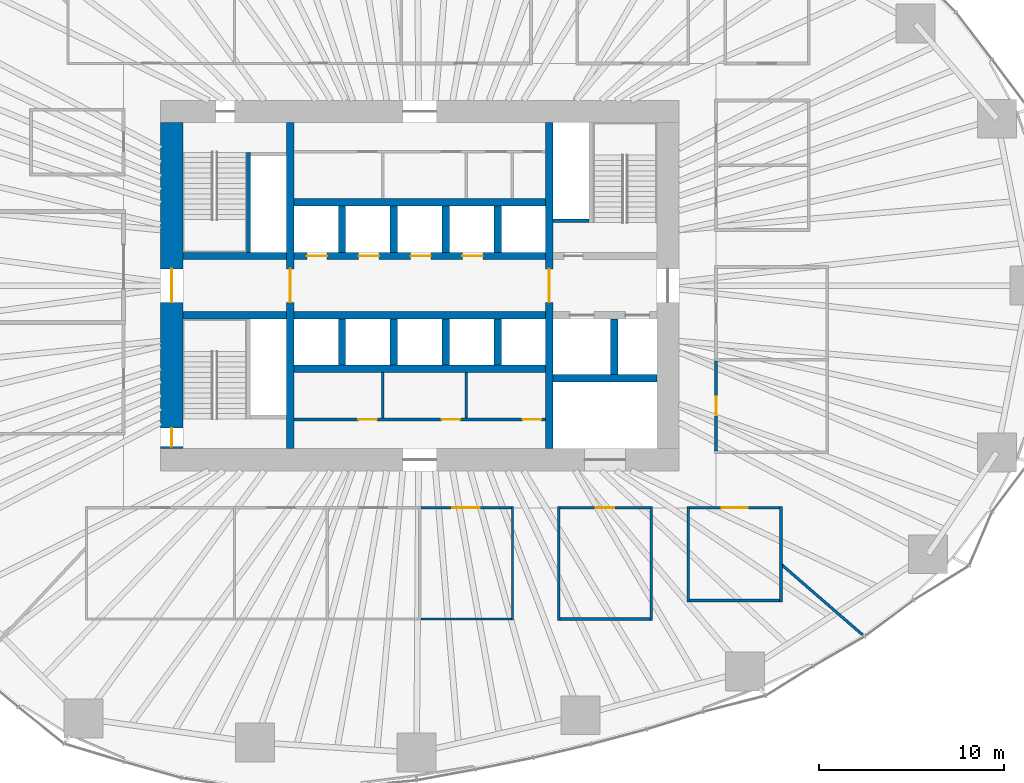
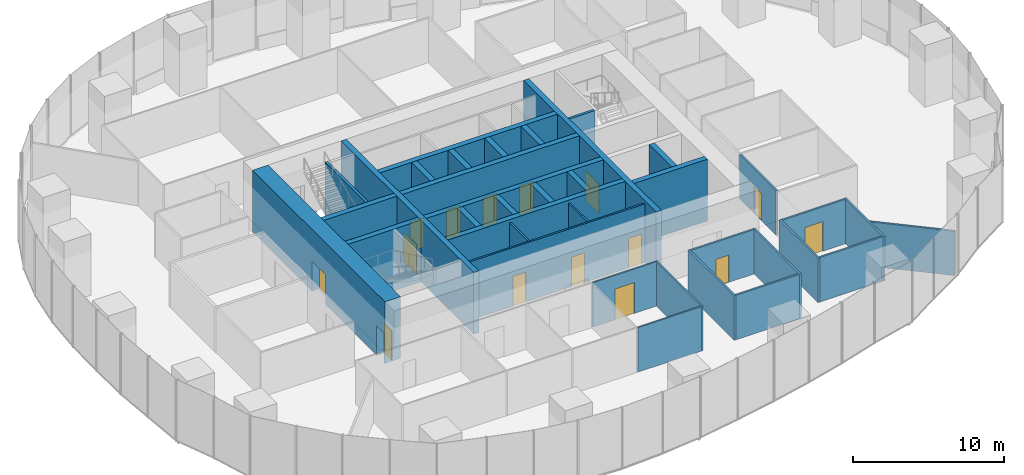
# One storey, part 10 of 20: 37 walls, 15 doors, 15 openings.
"""IFC4 building model written with IfcOpenShell, lengths in metres."""

import ifcopenshell
import ifcopenshell.guid

model = None  # the IFC model being written
_history = None  # IfcOwnerHistory: only IFC2X3 demands one
_inside = {}  # id of a spatial element -> (the spatial element, [elements in it])
_under = {}  # id of a project, library or spatial element -> (it, [spatial elements below it])
_declared = {}  # id of a project -> (the project, [libraries it declares])
_typed = {}  # id of a type object -> (the type object, [elements of that type])
_made_of = {}  # id of a material, layer set ... -> (it, [elements and type objects made of it])


def new_model(schema):
    """Start an empty IFC model of exactly this schema.

    Asked for "IFC4X3", IfcOpenShell would pick the latest addendum, in which some entities
    have other attributes; the version numbers below select the first issue.
    IFC2X3 requires an IfcOwnerHistory on every rooted entity: one is made here for all.
    """
    global model, _history
    if schema == "IFC4X3":
        model = ifcopenshell.file(schema_version=(4, 3, 0, 0))
    else:
        model = ifcopenshell.file(schema=schema)
    _inside.clear()
    _under.clear()
    _declared.clear()
    _typed.clear()
    _made_of.clear()
    _history = None
    if model.schema == "IFC2X3":
        org = make("IfcOrganization", Name="unknown")
        user = make(
            "IfcPersonAndOrganization",
            ThePerson=make("IfcPerson", FamilyName="unknown"),
            TheOrganization=org,
        )
        app = make(
            "IfcApplication",
            ApplicationDeveloper=org,
            Version="unknown",
            ApplicationFullName="unknown",
            ApplicationIdentifier="unknown",
        )
        _history = make(
            "IfcOwnerHistory",
            OwningUser=user,
            OwningApplication=app,
            ChangeAction="ADDED",
            CreationDate=0,
        )
    return model


def make(cls, **values):
    """One entity of the class cls with the attributes given. An attribute that is None is left unset."""
    return model.create_entity(
        cls, **{name: value for name, value in values.items() if value is not None}
    )


def rooted(cls, **values):
    """An entity with a GlobalId (a new one), such as an element, a storey or a relation."""
    return make(cls, GlobalId=ifcopenshell.guid.new(), OwnerHistory=_history, **values)


def si_unit(unit_type, name, prefix=None):
    """IfcSIUnit, for example si_unit("LENGTHUNIT", "METRE", prefix="MILLI")."""
    return make("IfcSIUnit", UnitType=unit_type, Prefix=prefix, Name=name)


def assignment(units):
    """IfcUnitAssignment: the units of a project."""
    return None if units is None else make("IfcUnitAssignment", Units=units)


def point(xyz):
    """IfcCartesianPoint."""
    return None if xyz is None else make("IfcCartesianPoint", Coordinates=xyz)


def direction(xyz):
    """IfcDirection."""
    return None if xyz is None else make("IfcDirection", DirectionRatios=xyz)


def frame(location, z_axis=None, x_axis=None):
    """IfcAxis2Placement3D, a coordinate frame: its origin and axes. An axis left out is left unset."""
    return make(
        "IfcAxis2Placement3D",
        Location=point(location),
        Axis=direction(z_axis),
        RefDirection=direction(x_axis),
    )


def frame_2d(location, x_axis=None):
    """IfcAxis2Placement2D, a coordinate frame in the plane: its origin and x axis."""
    return make(
        "IfcAxis2Placement2D", Location=point(location), RefDirection=direction(x_axis)
    )


def origin():
    """The frame at (0, 0, 0) with its axes left unset."""
    return frame((0.0, 0.0, 0.0))


def place(relative_to, where):
    """IfcLocalPlacement: puts the frame where relative to a parent placement (None: the world)."""
    return make(
        "IfcLocalPlacement", PlacementRelTo=relative_to, RelativePlacement=where
    )


def context(
    kind, dimensions, precision=None, world=None, true_north=None, identifier=None
):
    """IfcGeometricRepresentationContext, for example the 3D "Model" context."""
    return make(
        "IfcGeometricRepresentationContext",
        ContextIdentifier=identifier,
        ContextType=kind,
        CoordinateSpaceDimension=dimensions,
        Precision=precision,
        WorldCoordinateSystem=world,
        TrueNorth=true_north,
    )


def subcontext(parent, identifier, kind, view, scale=None):
    """IfcGeometricRepresentationSubContext, for example "Body" below "Model"."""
    return make(
        "IfcGeometricRepresentationSubContext",
        ContextIdentifier=identifier,
        ContextType=kind,
        ParentContext=parent,
        TargetScale=scale,
        TargetView=view,
    )


def project(units=None, contexts=None):
    """IfcProject with its units and contexts."""
    return rooted(
        "IfcProject",
        Name="project",
        RepresentationContexts=contexts,
        UnitsInContext=assignment(units),
    )


def spatial(cls, under=None, at=None, **own):
    """A site, building, storey or space (cls), placed at a placement, below another one or the project."""
    s = rooted(cls, ObjectPlacement=at, **own)
    if under is not None:
        _under.setdefault(under.id(), (under, []))[1].append(s)
    return s


def profile(cls, at=None, kind="AREA", **sizes):
    """A parametric profile (cls). Its sizes go by their IFC names, for example OverallWidth=200.0."""
    return make(cls, ProfileType=kind, Position=at, **sizes)


def rectangle(**sizes):
    """IfcRectangleProfileDef."""
    return profile("IfcRectangleProfileDef", **sizes)


def extrude(swept, where, along, depth):
    """IfcExtrudedAreaSolid: the profile swept, set in the frame where, extruded along a direction by depth."""
    return make(
        "IfcExtrudedAreaSolid",
        SweptArea=swept,
        Position=where,
        ExtrudedDirection=direction(along),
        Depth=depth,
    )


def shape(context_of_items, identifier, shape_type, items):
    """IfcShapeRepresentation: the items that make up one representation, for example the "Body"."""
    return make(
        "IfcShapeRepresentation",
        ContextOfItems=context_of_items,
        RepresentationIdentifier=identifier,
        RepresentationType=shape_type,
        Items=items,
    )


def material(Name=None, Category=None):
    """IfcMaterial."""
    return make("IfcMaterial", Name=Name, Category=Category)


def layer(
    of_material, thickness, ventilated=None, Name=None, Category=None, Priority=None
):
    """IfcMaterialLayer: one layer of a wall or slab, of a material (None: an air gap)."""
    return make(
        "IfcMaterialLayer",
        Material=of_material,
        LayerThickness=thickness,
        IsVentilated=ventilated,
        Name=Name,
        Category=Category,
        Priority=Priority,
    )


def layer_set(layers, Name=None):
    """IfcMaterialLayerSet."""
    return make("IfcMaterialLayerSet", MaterialLayers=layers, LayerSetName=Name)


def made_of(thing, what):
    """Note that an element or type object is made of a material, layer set ...; save() writes the relation."""
    if what is not None:
        _made_of.setdefault(what.id(), (what, []))[1].append(thing)
    return thing


def type_object(cls, material=None, **own):
    """A type object (cls), such as IfcWallType, which elements share."""
    return made_of(rooted(cls, **own), material)


def element(
    cls,
    number,
    at=None,
    inside=None,
    cuts=None,
    type_object=None,
    material=None,
    context=None,
    identifier="Body",
    shape_type=None,
    held_by="IfcProductDefinitionShape",
    body=None,
    shapes=None,
    **own,
):
    """One element of the class cls, such as IfcWall. Its Tag is "e" and its number.

    at: its placement. inside: the storey or other place that contains it. cuts: it is an
    opening in that element (IfcRelVoidsElement). A single representation is given by context,
    identifier, shape_type and body (its items); several are given by shapes. held_by: the class
    of the entity that holds the representations. save() writes the other relations.
    """
    e = rooted(cls, Tag="e%d" % number, ObjectPlacement=at, **own)
    if body is not None:
        shapes = [shape(context, identifier, shape_type, body)]
    if shapes is not None:
        e.Representation = make(held_by, Representations=shapes)
    if inside is not None:
        _inside.setdefault(inside.id(), (inside, []))[1].append(e)
    if cuts is not None:
        rooted(
            "IfcRelVoidsElement", RelatingBuildingElement=cuts, RelatedOpeningElement=e
        )
    if type_object is not None:
        _typed.setdefault(type_object.id(), (type_object, []))[1].append(e)
    return made_of(e, material)


def fill(opening, filler):
    """IfcRelFillsElement: the door or window that sits in an opening."""
    return rooted(
        "IfcRelFillsElement",
        RelatingOpeningElement=opening,
        RelatedBuildingElement=filler,
    )


def aggregate(whole, parts):
    """IfcRelAggregates: a whole, such as a stair, and the parts it consists of."""
    return rooted("IfcRelAggregates", RelatingObject=whole, RelatedObjects=parts)


def save(model, path):
    """Write the relations noted so far, then the file.

    IfcRelAggregates (storeys below a building ...), IfcRelContainedInSpatialStructure (elements
    in a storey), IfcRelDefinesByType, IfcRelAssociatesMaterial and IfcRelDeclares: one each for
    every whole, place, type object, material and project.
    """
    for whole, parts in _under.values():
        aggregate(whole, parts)
    for where, things in _inside.values():
        rooted(
            "IfcRelContainedInSpatialStructure",
            RelatedElements=things,
            RelatingStructure=where,
        )
    for kind, things in _typed.values():
        rooted("IfcRelDefinesByType", RelatedObjects=things, RelatingType=kind)
    for what, things in _made_of.values():
        rooted("IfcRelAssociatesMaterial", RelatedObjects=things, RelatingMaterial=what)
    for by, libraries in _declared.values():
        rooted("IfcRelDeclares", RelatingContext=by, RelatedDefinitions=libraries)
    model.write(path)


model = new_model("IFC4")

# Units and contexts
model_context = context("Model", 3, precision=1e-05, world=origin(), true_north=direction((0.0, 1.0)))
body_context = subcontext(model_context, "Body", "Model", "MODEL_VIEW")
ifc_project = project(units=[si_unit("LENGTHUNIT", "METRE"), si_unit("AREAUNIT", "SQUARE_METRE"), si_unit("VOLUMEUNIT", "CUBIC_METRE"), si_unit("PLANEANGLEUNIT", "RADIAN"), si_unit("MASSUNIT", "GRAM", prefix="KILO")], contexts=[model_context])

# Site, building, storey
site_placement = place(None, origin())
site = spatial("IfcSite", under=ifc_project, at=site_placement, CompositionType="ELEMENT")
building_placement = place(site_placement, origin())
building = spatial("IfcBuilding", under=site, at=building_placement, Name="Ghaith Harvest Tower", CompositionType="ELEMENT")
storey_placement = place(building_placement, frame((0.0, 0.0, 25.0)))
storey = spatial("IfcBuildingStorey", under=building, at=storey_placement, Name="L05", CompositionType="ELEMENT", Elevation=25.0)

# Wall, openings, doors
ifc_material_1 = material(Name="Concrete blockwork, fair-faced", Category="masonry")
ifc_layer_1 = layer(ifc_material_1, 0.139892578125)
ifc_layer_set_1 = layer_set([ifc_layer_1], Name="CORE PARTITION 140")
wall_type_1 = type_object("IfcWallType", Name="CORE PARTITION 140", PredefinedType="PARTITIONING", material=ifc_layer_set_1)
wall_1_placement = place(storey_placement, frame((-6.800048828125, -7.22998046875, 0.0), z_axis=(0.0, 0.0, 1.0), x_axis=(1.0, 0.0, 0.0)))
wall_1 = element("IfcWall", 1, at=wall_1_placement, inside=storey, type_object=wall_type_1, Name="Core partition L05", PredefinedType="PARTITIONING", context=body_context, shape_type="SweptSolid", body=[
    extrude(rectangle(XDim=13.60009765625, YDim=0.139892578125, at=frame_2d((6.800048828125, 0.0))), origin(), (0.0, 0.0, 1.0), 4.75),
])
opening_1_placement = place(wall_1_placement, frame((3.47998046875, 0.0, 0.0)))
opening_1 = element("IfcOpeningElement", 2, at=opening_1_placement, cuts=wall_1, Name="Opening 05-012", PredefinedType="OPENING", context=body_context, shape_type="SweptSolid", body=[
    extrude(rectangle(XDim=1.0, YDim=2.39990234375, at=frame_2d((0.5, 1.199951171875))), frame((0.0, 0.080078125, 0.0), z_axis=(0.0, -1.0, 0.0), x_axis=(1.0, 0.0, 0.0)), (0.0, 0.0, 1.0), 0.159912109375),
])
opening_2_placement = place(wall_1_placement, frame((7.97998046875, 0.0, 0.0)))
opening_2 = element("IfcOpeningElement", 3, at=opening_2_placement, cuts=wall_1, Name="Opening 05-013", PredefinedType="OPENING", context=body_context, shape_type="SweptSolid", body=[
    extrude(rectangle(XDim=1.0, YDim=2.39990234375, at=frame_2d((0.5, 1.199951171875))), frame((0.0, 0.080078125, 0.0), z_axis=(0.0, -1.0, 0.0), x_axis=(1.0, 0.0, 0.0)), (0.0, 0.0, 1.0), 0.159912109375),
])
opening_3_placement = place(wall_1_placement, frame((12.35009765625, 0.0, 0.0)))
opening_3 = element("IfcOpeningElement", 4, at=opening_3_placement, cuts=wall_1, Name="Opening 05-014", PredefinedType="OPENING", context=body_context, shape_type="SweptSolid", body=[
    extrude(rectangle(XDim=1.0, YDim=2.39990234375, at=frame_2d((0.5, 1.199951171875))), frame((0.0, 0.080078125, 0.0), z_axis=(0.0, -1.0, 0.0), x_axis=(1.0, 0.0, 0.0)), (0.0, 0.0, 1.0), 0.159912109375),
])
ifc_material_2 = material(Name="Steel fire door", Category="steel")
door_type_1 = type_object("IfcDoorType", Name="D3 FD90 1000x2400", OperationType="SINGLE_SWING_LEFT", PredefinedType="DOOR", material=ifc_material_2)
door_1_placement = place(opening_1_placement, origin())
door_1 = element("IfcDoor", 5, at=door_1_placement, inside=storey, type_object=door_type_1, Name="Electrical room door", OperationType="SINGLE_SWING_LEFT", OverallHeight=2.39990234375, OverallWidth=1.0, PredefinedType="DOOR", context=body_context, shape_type="SweptSolid", body=[
    extrude(rectangle(XDim=1.0, YDim=2.39990234375, at=frame_2d((0.5, 1.199951171875))), frame((0.0, 0.02490234375, 0.0), z_axis=(0.0, -1.0, 0.0), x_axis=(1.0, 0.0, 0.0)), (0.0, 0.0, 1.0), 0.050048828125),
])
fill(opening_1, door_1)
door_2_placement = place(opening_2_placement, origin())
door_2 = element("IfcDoor", 6, at=door_2_placement, inside=storey, type_object=door_type_1, Name="Communications equipment room door", OperationType="SINGLE_SWING_RIGHT", OverallHeight=2.39990234375, OverallWidth=1.0, PredefinedType="DOOR", context=body_context, shape_type="SweptSolid", body=[
    extrude(rectangle(XDim=1.0, YDim=2.39990234375, at=frame_2d((0.5, 1.199951171875))), frame((0.0, 0.02490234375, 0.0), z_axis=(0.0, -1.0, 0.0), x_axis=(1.0, 0.0, 0.0)), (0.0, 0.0, 1.0), 0.050048828125),
])
fill(opening_2, door_2)
door_3_placement = place(opening_3_placement, origin())
door_3 = element("IfcDoor", 7, at=door_3_placement, inside=storey, type_object=door_type_1, Name="Riser room door", OperationType="SINGLE_SWING_RIGHT", OverallHeight=2.39990234375, OverallWidth=1.0, PredefinedType="DOOR", context=body_context, shape_type="SweptSolid", body=[
    extrude(rectangle(XDim=1.0, YDim=2.39990234375, at=frame_2d((0.5, 1.199951171875))), frame((0.0, 0.02490234375, 0.0), z_axis=(0.0, -1.0, 0.0), x_axis=(1.0, 0.0, 0.0)), (0.0, 0.0, 1.0), 0.050048828125),
])
fill(opening_3, door_3)

# Walls
for number, where, z_axis, x_axis, name in (
    (8, (-2.0, -4.699951171875, 0.0), (0.0, 0.0, 1.0), (0.0, -1.0, 0.0), "Core partition L05"),
    (9, (2.5, -4.699951171875, 0.0), (0.0, 0.0, 1.0), (0.0, -1.0, 0.0), "Core partition L05"),
):
    element("IfcWall", number, at=place(storey_placement, frame(where, z_axis=z_axis, x_axis=x_axis)), inside=storey, type_object=wall_type_1, Name=name, PredefinedType="PARTITIONING", context=body_context, shape_type="SweptSolid", body=[
        extrude(rectangle(XDim=2.4599609375, YDim=0.139892578125, at=frame_2d((1.22998046875, 0.0))), origin(), (0.0, 0.0, 1.0), 4.75),
    ])

# Wall, openings, doors
ifc_material_3 = material(Name="Concrete C70/85", Category="concrete")
ifc_layer_2 = layer(ifc_material_3, 1.199951171875)
ifc_layer_set_2 = layer_set([ifc_layer_2], Name="CORE WALL CW1200")
wall_type_2 = type_object("IfcWallType", Name="CORE WALL CW1200", PredefinedType="SHEAR", material=ifc_layer_set_2)
wall_2_placement = place(storey_placement, frame((-13.39990234375, 8.800048828125, 0.0), z_axis=(0.0, 0.0, 1.0), x_axis=(0.0, -1.0, 0.0)))
wall_2 = element("IfcWall", 10, at=wall_2_placement, inside=storey, type_object=wall_type_2, Name="Core wall W L05", PredefinedType="SHEAR", context=body_context, shape_type="SweptSolid", body=[
    extrude(rectangle(XDim=17.60009765625, YDim=1.199951171875, at=frame_2d((8.800048828125, 0.0))), origin(), (0.0, 0.0, 1.0), 5.0),
])
opening_4_placement = place(wall_2_placement, frame((7.89990234375, 0.0, 0.0)))
opening_4 = element("IfcOpeningElement", 11, at=opening_4_placement, cuts=wall_2, Name="Opening 05-001", PredefinedType="OPENING", context=body_context, shape_type="SweptSolid", body=[
    extrude(rectangle(XDim=1.800048828125, YDim=2.39990234375, at=frame_2d((0.89990234375, 1.199951171875))), frame((0.0, 0.60986328125, 0.0), z_axis=(0.0, -1.0, 0.0), x_axis=(1.0, 0.0, 0.0)), (0.0, 0.0, 1.0), 1.219970703125),
])
opening_5_placement = place(wall_2_placement, frame((16.5, 0.0, 0.0)))
opening_5 = element("IfcOpeningElement", 12, at=opening_5_placement, cuts=wall_2, Name="Opening 05-006", PredefinedType="OPENING", context=body_context, shape_type="SweptSolid", body=[
    extrude(rectangle(XDim=1.0, YDim=2.39990234375, at=frame_2d((0.5, 1.199951171875))), frame((0.0, 0.60986328125, 0.0), z_axis=(0.0, -1.0, 0.0), x_axis=(1.0, 0.0, 0.0)), (0.0, 0.0, 1.0), 1.219970703125),
])
door_4_placement = place(opening_5_placement, origin())
door_4 = element("IfcDoor", 13, at=door_4_placement, inside=storey, type_object=door_type_1, Name="Stair ST3 door", OperationType="SINGLE_SWING_RIGHT", OverallHeight=2.39990234375, OverallWidth=1.0, PredefinedType="DOOR", context=body_context, shape_type="SweptSolid", body=[
    extrude(rectangle(XDim=1.0, YDim=2.39990234375, at=frame_2d((0.5, 1.199951171875))), frame((0.0, 0.02490234375, 0.0), z_axis=(0.0, -1.0, 0.0), x_axis=(1.0, 0.0, 0.0)), (0.0, 0.0, 1.0), 0.050048828125),
])
fill(opening_5, door_4)
ifc_material_4 = material(Name="Steel fire door", Category="steel")
door_type_2 = type_object("IfcDoorType", Name="D4 FD90 PAIR 1800x2400", OperationType="DOUBLE_DOOR_SINGLE_SWING", PredefinedType="DOOR", material=ifc_material_4)
door_5_placement = place(opening_4_placement, origin())
door_5 = element("IfcDoor", 14, at=door_5_placement, inside=storey, type_object=door_type_2, Name="West lobby doors", OperationType="DOUBLE_DOOR_SINGLE_SWING", OverallHeight=2.39990234375, OverallWidth=1.800048828125, PredefinedType="DOOR", context=body_context, shape_type="SweptSolid", body=[
    extrude(rectangle(XDim=1.800048828125, YDim=2.39990234375, at=frame_2d((0.89990234375, 1.199951171875))), frame((0.0, 0.02490234375, 0.0), z_axis=(0.0, -1.0, 0.0), x_axis=(1.0, 0.0, 0.0)), (0.0, 0.0, 1.0), 0.050048828125),
])
fill(opening_4, door_5)

# Wall
ifc_material_5 = material(Name="Insulated food-grade panel", Category="steel")
ifc_layer_3 = layer(ifc_material_5, 0.1201171875)
ifc_layer_set_3 = layer_set([ifc_layer_3], Name="INSULATED PANEL WALL 120")
wall_type_3 = type_object("IfcWallType", Name="INSULATED PANEL WALL 120", PredefinedType="PARTITIONING", material=ifc_layer_set_3)
wall_3_placement = place(storey_placement, frame((5.0, -11.93994140625, 0.0), z_axis=(0.0, 0.0, 1.0), x_axis=(0.0, -1.0, 0.0)))
element("IfcWall", 15, at=wall_3_placement, inside=storey, type_object=wall_type_3, Name="Partition L05 row S3 cross wall 5", PredefinedType="PARTITIONING", context=body_context, shape_type="SweptSolid", body=[
    extrude(rectangle(XDim=6.1201171875, YDim=0.1201171875, at=frame_2d((3.06005859375, 0.0))), origin(), (0.0, 0.0, 1.0), 3.60009765625),
])

# Wall, opening, door
wall_4_placement = place(storey_placement, frame((0.06005859375, -12.0, 0.0), z_axis=(0.0, 0.0, 1.0), x_axis=(1.0, 0.0, 0.0)))
wall_4 = element("IfcWall", 16, at=wall_4_placement, inside=storey, type_object=wall_type_3, Name="Partition L05-08", PredefinedType="PARTITIONING", context=body_context, shape_type="SweptSolid", body=[
    extrude(rectangle(XDim=4.8798828125, YDim=0.1201171875, at=frame_2d((2.43994140625, 0.0))), origin(), (0.0, 0.0, 1.0), 3.60009765625),
])
opening_6_placement = place(wall_4_placement, frame((1.68994140625, 0.0, 0.0)))
opening_6 = element("IfcOpeningElement", 17, at=opening_6_placement, cuts=wall_4, Name="Opening 05-031", PredefinedType="OPENING", context=body_context, shape_type="SweptSolid", body=[
    extrude(rectangle(XDim=1.5, YDim=2.5, at=frame_2d((0.75, 1.25))), frame((0.0, 0.070068359375, 0.0), z_axis=(0.0, -1.0, 0.0), x_axis=(1.0, 0.0, 0.0)), (0.0, 0.0, 1.0), 0.14013671875),
])
ifc_material_6 = material(Name="Insulated steel sliding door", Category="steel")
door_type_3 = type_object("IfcDoorType", Name="D13 COLD STORE SLIDING 1500x2500", OperationType="SLIDING_TO_LEFT", PredefinedType="DOOR", material=ifc_material_6)
door_6_placement = place(opening_6_placement, origin())
door_6 = element("IfcDoor", 18, at=door_6_placement, inside=storey, type_object=door_type_3, Name="Germination room door", OperationType="SLIDING_TO_LEFT", OverallHeight=2.5, OverallWidth=1.5, PredefinedType="DOOR", context=body_context, shape_type="SweptSolid", body=[
    extrude(rectangle(XDim=1.5, YDim=2.5, at=frame_2d((0.75, 1.25))), frame((0.0, 0.02490234375, 0.0), z_axis=(0.0, -1.0, 0.0), x_axis=(1.0, 0.0, 0.0)), (0.0, 0.0, 1.0), 0.050048828125),
])
fill(opening_6, door_6)

# Walls
wall_5_placement = place(storey_placement, frame((0.06005859375, -18.0, 0.0), z_axis=(0.0, 0.0, 1.0), x_axis=(1.0, 0.0, 0.0)))
element("IfcWall", 19, at=wall_5_placement, inside=storey, type_object=wall_type_3, Name="Partition L05-08", PredefinedType="PARTITIONING", context=body_context, shape_type="SweptSolid", body=[
    extrude(rectangle(XDim=4.8798828125, YDim=0.1201171875, at=frame_2d((2.43994140625, 0.0))), origin(), (0.0, 0.0, 1.0), 3.60009765625),
])
ifc_material_7 = material(Name="Gypsum board on steel studs", Category="steel")
ifc_layer_4 = layer(ifc_material_7, 0.14990234375)
ifc_layer_set_4 = layer_set([ifc_layer_4], Name="PARTITION 150")
wall_type_4 = type_object("IfcWallType", Name="PARTITION 150", PredefinedType="PARTITIONING", material=ifc_layer_set_4)
for number, where, z_axis, x_axis, name in (
    (20, (7.5, -11.925048828125, 0.0), (0.0, 0.0, 1.0), (0.0, -1.0, 0.0), "Partition L05 row S4 cross wall 1"),
    (21, (12.5, -11.925048828125, 0.0), (0.0, 0.0, 1.0), (0.0, -1.0, 0.0), "Partition L05 row S4 cross wall 2"),
):
    element("IfcWall", number, at=place(storey_placement, frame(where, z_axis=z_axis, x_axis=x_axis)), inside=storey, type_object=wall_type_4, Name=name, PredefinedType="PARTITIONING", context=body_context, shape_type="SweptSolid", body=[
        extrude(rectangle(XDim=6.14990234375, YDim=0.14990234375, at=frame_2d((3.074951171875, 0.0))), origin(), (0.0, 0.0, 1.0), 3.60009765625),
    ])

# Wall, opening, door
wall_6_placement = place(storey_placement, frame((7.574951171875, -12.0, 0.0), z_axis=(0.0, 0.0, 1.0), x_axis=(1.0, 0.0, 0.0)))
wall_6 = element("IfcWall", 22, at=wall_6_placement, inside=storey, type_object=wall_type_4, Name="Partition L05-09", PredefinedType="PARTITIONING", context=body_context, shape_type="SweptSolid", body=[
    extrude(rectangle(XDim=4.85009765625, YDim=0.14990234375, at=frame_2d((2.425048828125, 0.0))), origin(), (0.0, 0.0, 1.0), 3.60009765625),
])
opening_7_placement = place(wall_6_placement, frame((1.925048828125, 0.0, 0.0)))
opening_7 = element("IfcOpeningElement", 23, at=opening_7_placement, cuts=wall_6, Name="Opening 05-032", PredefinedType="OPENING", context=body_context, shape_type="SweptSolid", body=[
    extrude(rectangle(XDim=1.0, YDim=2.199951171875, at=frame_2d((0.5, 1.10009765625))), frame((0.0, 0.0849609375, 0.0), z_axis=(0.0, -1.0, 0.0), x_axis=(1.0, 0.0, 0.0)), (0.0, 0.0, 1.0), 0.169921875),
])
ifc_material_8 = material(Name="Timber door", Category="wood")
door_type_4 = type_object("IfcDoorType", Name="D1 SINGLE 1000x2200", OperationType="SINGLE_SWING_LEFT", PredefinedType="DOOR", material=ifc_material_8)
door_7_placement = place(opening_7_placement, origin())
door_7 = element("IfcDoor", 24, at=door_7_placement, inside=storey, type_object=door_type_4, Name="Tray store door", OperationType="SINGLE_SWING_LEFT", OverallHeight=2.199951171875, OverallWidth=1.0, PredefinedType="DOOR", context=body_context, shape_type="SweptSolid", body=[
    extrude(rectangle(XDim=1.0, YDim=2.199951171875, at=frame_2d((0.5, 1.10009765625))), frame((0.0, 0.02490234375, 0.0), z_axis=(0.0, -1.0, 0.0), x_axis=(1.0, 0.0, 0.0)), (0.0, 0.0, 1.0), 0.050048828125),
])
fill(opening_7, door_7)

# Wall
wall_7_placement = place(storey_placement, frame((7.574951171875, -18.0, 0.0), z_axis=(0.0, 0.0, 1.0), x_axis=(1.0, 0.0, 0.0)))
element("IfcWall", 25, at=wall_7_placement, inside=storey, type_object=wall_type_4, Name="Partition L05-09", PredefinedType="PARTITIONING", context=body_context, shape_type="SweptSolid", body=[
    extrude(rectangle(XDim=4.85009765625, YDim=0.14990234375, at=frame_2d((2.425048828125, 0.0))), origin(), (0.0, 0.0, 1.0), 3.60009765625),
])

# Wall, opening, door
wall_8_placement = place(storey_placement, frame((16.0, -8.925048828125, 0.0), z_axis=(0.0, 0.0, 1.0), x_axis=(0.0, 1.0, 0.0)))
wall_8 = element("IfcWall", 26, at=wall_8_placement, inside=storey, type_object=wall_type_4, Name="Partition L05-10", PredefinedType="PARTITIONING", context=body_context, shape_type="SweptSolid", body=[
    extrude(rectangle(XDim=4.85009765625, YDim=0.14990234375, at=frame_2d((2.425048828125, 0.0))), origin(), (0.0, 0.0, 1.0), 3.60009765625),
])
opening_8_placement = place(wall_8_placement, frame((1.925048828125, 0.0, 0.0)))
opening_8 = element("IfcOpeningElement", 27, at=opening_8_placement, cuts=wall_8, Name="Opening 05-033", PredefinedType="OPENING", context=body_context, shape_type="SweptSolid", body=[
    extrude(rectangle(XDim=1.0, YDim=2.199951171875, at=frame_2d((0.5, 1.10009765625))), frame((0.0, 0.0849609375, 0.0), z_axis=(0.0, -1.0, 0.0), x_axis=(1.0, 0.0, 0.0)), (0.0, 0.0, 1.0), 0.169921875),
])
door_8_placement = place(opening_8_placement, origin())
door_8 = element("IfcDoor", 28, at=door_8_placement, inside=storey, type_object=door_type_4, Name="Male staff changing room door", OperationType="SINGLE_SWING_LEFT", OverallHeight=2.199951171875, OverallWidth=1.0, PredefinedType="DOOR", context=body_context, shape_type="SweptSolid", body=[
    extrude(rectangle(XDim=1.0, YDim=2.199951171875, at=frame_2d((0.5, 1.10009765625))), frame((0.0, 0.02490234375, 0.0), z_axis=(0.0, -1.0, 0.0), x_axis=(1.0, 0.0, 0.0)), (0.0, 0.0, 1.0), 0.050048828125),
])
fill(opening_8, door_8)

# Walls
for number, where, z_axis, x_axis, name in (
    (29, (14.5, -11.925048828125, 0.0), (0.0, 0.0, 1.0), (0.0, -1.0, 0.0), "Partition L05 row S8 cross wall 1"),
    (30, (19.5, -11.925048828125, 0.0), (0.0, 0.0, 1.0), (0.0, -1.0, 0.0), "Partition L05 row S8 cross wall 2"),
):
    element("IfcWall", number, at=place(storey_placement, frame(where, z_axis=z_axis, x_axis=x_axis)), inside=storey, type_object=wall_type_4, Name=name, PredefinedType="PARTITIONING", context=body_context, shape_type="SweptSolid", body=[
        extrude(rectangle(XDim=5.14990234375, YDim=0.14990234375, at=frame_2d((2.574951171875, 0.0))), origin(), (0.0, 0.0, 1.0), 3.60009765625),
    ])

# Wall, opening, door
wall_9_placement = place(storey_placement, frame((14.574951171875, -12.0, 0.0), z_axis=(0.0, 0.0, 1.0), x_axis=(1.0, 0.0, 0.0)))
wall_9 = element("IfcWall", 31, at=wall_9_placement, inside=storey, type_object=wall_type_4, Name="Partition L05-15", PredefinedType="PARTITIONING", context=body_context, shape_type="SweptSolid", body=[
    extrude(rectangle(XDim=4.85009765625, YDim=0.14990234375, at=frame_2d((2.425048828125, 0.0))), origin(), (0.0, 0.0, 1.0), 3.60009765625),
])
opening_9_placement = place(wall_9_placement, frame((1.72509765625, 0.0, 0.0)))
opening_9 = element("IfcOpeningElement", 32, at=opening_9_placement, cuts=wall_9, Name="Opening 05-038", PredefinedType="OPENING", context=body_context, shape_type="SweptSolid", body=[
    extrude(rectangle(XDim=1.39990234375, YDim=2.39990234375, at=frame_2d((0.699951171875, 1.199951171875))), frame((0.0, 0.0849609375, 0.0), z_axis=(0.0, -1.0, 0.0), x_axis=(1.0, 0.0, 0.0)), (0.0, 0.0, 1.0), 0.169921875),
])
ifc_material_9 = material(Name="Stainless steel faced door pair", Category="steel")
door_type_5 = type_object("IfcDoorType", Name="D14 HYGIENE PAIR 1400x2400", OperationType="DOUBLE_DOOR_DOUBLE_SWING", PredefinedType="DOOR", material=ifc_material_9)
door_9_placement = place(opening_9_placement, origin())
door_9 = element("IfcDoor", 33, at=door_9_placement, inside=storey, type_object=door_type_5, Name="Trolley store door", OperationType="DOUBLE_DOOR_DOUBLE_SWING", OverallHeight=2.39990234375, OverallWidth=1.39990234375, PredefinedType="DOOR", context=body_context, shape_type="SweptSolid", body=[
    extrude(rectangle(XDim=1.39990234375, YDim=2.39990234375, at=frame_2d((0.699951171875, 1.199951171875))), frame((0.0, 0.02490234375, 0.0), z_axis=(0.0, -1.0, 0.0), x_axis=(1.0, 0.0, 0.0)), (0.0, 0.0, 1.0), 0.050048828125),
])
fill(opening_9, door_9)

# Walls
wall_10_placement = place(storey_placement, frame((14.574951171875, -17.0, 0.0), z_axis=(0.0, 0.0, 1.0), x_axis=(1.0, 0.0, 0.0)))
element("IfcWall", 34, at=wall_10_placement, inside=storey, type_object=wall_type_4, Name="Partition L05-15", PredefinedType="PARTITIONING", context=body_context, shape_type="SweptSolid", body=[
    extrude(rectangle(XDim=4.85009765625, YDim=0.14990234375, at=frame_2d((2.425048828125, 0.0))), origin(), (0.0, 0.0, 1.0), 3.60009765625),
])
wall_11_placement = place(storey_placement, frame((19.52001953125, -15.052978515625, 0.0), z_axis=(0.0, 0.0, 1.0), x_axis=(0.755428315431, -0.655231302858, 0.0)))
element("IfcWall", 35, at=wall_11_placement, inside=storey, type_object=wall_type_4, Name="Partition L05 zone division", PredefinedType="PARTITIONING", context=body_context, shape_type="SweptSolid", body=[
    extrude(rectangle(XDim=5.808837890625, YDim=0.14990234375, at=frame_2d((2.904296875, 0.0))), origin(), (0.0, 0.0, 1.0), 3.60009765625),
])

# Wall, opening, door
ifc_material_10 = material(Name="Concrete C70/85", Category="concrete")
ifc_layer_5 = layer(ifc_material_10, 0.39990234375)
ifc_layer_set_5 = layer_set([ifc_layer_5], Name="SHAFT WALL 400")
wall_type_5 = type_object("IfcWallType", Name="SHAFT WALL 400", PredefinedType="SHEAR", material=ifc_layer_set_5)
wall_12_placement = place(storey_placement, frame((-7.0, -8.800048828125, 0.0), z_axis=(0.0, 0.0, 1.0), x_axis=(0.0, 1.0, 0.0)))
wall_12 = element("IfcWall", 36, at=wall_12_placement, inside=storey, type_object=wall_type_5, Name="Shaft wall W7W L05", PredefinedType="SHEAR", context=body_context, shape_type="SweptSolid", body=[
    extrude(rectangle(XDim=17.60009765625, YDim=0.39990234375, at=frame_2d((8.800048828125, 0.0))), origin(), (0.0, 0.0, 1.0), 5.0),
])
opening_10_placement = place(wall_12_placement, frame((7.89990234375, 0.0, 0.0)))
opening_10 = element("IfcOpeningElement", 37, at=opening_10_placement, cuts=wall_12, Name="Opening 05-003", PredefinedType="OPENING", context=body_context, shape_type="SweptSolid", body=[
    extrude(rectangle(XDim=1.800048828125, YDim=2.39990234375, at=frame_2d((0.89990234375, 1.199951171875))), frame((0.0, 0.2099609375, 0.0), z_axis=(0.0, -1.0, 0.0), x_axis=(1.0, 0.0, 0.0)), (0.0, 0.0, 1.0), 0.419921875),
])
door_10_placement = place(opening_10_placement, origin())
door_10 = element("IfcDoor", 38, at=door_10_placement, inside=storey, type_object=door_type_2, Name="Lift lobby doors, west", OperationType="DOUBLE_DOOR_SINGLE_SWING", OverallHeight=2.39990234375, OverallWidth=1.800048828125, PredefinedType="DOOR", context=body_context, shape_type="SweptSolid", body=[
    extrude(rectangle(XDim=1.800048828125, YDim=2.39990234375, at=frame_2d((0.89990234375, 1.199951171875))), frame((0.0, 0.02490234375, 0.0), z_axis=(0.0, -1.0, 0.0), x_axis=(1.0, 0.0, 0.0)), (0.0, 0.0, 1.0), 0.050048828125),
])
fill(opening_10, door_10)

wall_13_placement = place(storey_placement, frame((7.0, -8.800048828125, 0.0), z_axis=(0.0, 0.0, 1.0), x_axis=(0.0, 1.0, 0.0)))
wall_13 = element("IfcWall", 39, at=wall_13_placement, inside=storey, type_object=wall_type_5, Name="Shaft wall W7E L05", PredefinedType="SHEAR", context=body_context, shape_type="SweptSolid", body=[
    extrude(rectangle(XDim=17.60009765625, YDim=0.39990234375, at=frame_2d((8.800048828125, 0.0))), origin(), (0.0, 0.0, 1.0), 5.0),
])
opening_11_placement = place(wall_13_placement, frame((7.89990234375, 0.0, 0.0)))
opening_11 = element("IfcOpeningElement", 40, at=opening_11_placement, cuts=wall_13, Name="Opening 05-004", PredefinedType="OPENING", context=body_context, shape_type="SweptSolid", body=[
    extrude(rectangle(XDim=1.800048828125, YDim=2.39990234375, at=frame_2d((0.89990234375, 1.199951171875))), frame((0.0, 0.2099609375, 0.0), z_axis=(0.0, -1.0, 0.0), x_axis=(1.0, 0.0, 0.0)), (0.0, 0.0, 1.0), 0.419921875),
])
door_11_placement = place(opening_11_placement, origin())
door_11 = element("IfcDoor", 41, at=door_11_placement, inside=storey, type_object=door_type_2, Name="Lift lobby doors, east", OperationType="DOUBLE_DOOR_SINGLE_SWING", OverallHeight=2.39990234375, OverallWidth=1.800048828125, PredefinedType="DOOR", context=body_context, shape_type="SweptSolid", body=[
    extrude(rectangle(XDim=1.800048828125, YDim=2.39990234375, at=frame_2d((0.89990234375, 1.199951171875))), frame((0.0, 0.02490234375, 0.0), z_axis=(0.0, -1.0, 0.0), x_axis=(1.0, 0.0, 0.0)), (0.0, 0.0, 1.0), 0.050048828125),
])
fill(opening_11, door_11)

# Wall, openings, doors
wall_14_placement = place(storey_placement, frame((-6.800048828125, 1.60009765625, 0.0), z_axis=(0.0, 0.0, 1.0), x_axis=(1.0, 0.0, 0.0)))
wall_14 = element("IfcWall", 42, at=wall_14_placement, inside=storey, type_object=wall_type_5, Name="Shaft wall LN L05", PredefinedType="SHEAR", context=body_context, shape_type="SweptSolid", body=[
    extrude(rectangle(XDim=13.60009765625, YDim=0.39990234375, at=frame_2d((6.800048828125, 0.0))), origin(), (0.0, 0.0, 1.0), 5.0),
])
opening_12_placement = place(wall_14_placement, frame((0.699951171875, 0.0, 0.0)))
opening_12 = element("IfcOpeningElement", 43, at=opening_12_placement, cuts=wall_14, Name="Opening 05-017", PredefinedType="OPENING", context=body_context, shape_type="SweptSolid", body=[
    extrude(rectangle(XDim=1.10009765625, YDim=2.39990234375, at=frame_2d((0.550048828125, 1.199951171875))), frame((0.0, 0.2099609375, 0.0), z_axis=(0.0, -1.0, 0.0), x_axis=(1.0, 0.0, 0.0)), (0.0, 0.0, 1.0), 0.419921875),
])
opening_13_placement = place(wall_14_placement, frame((3.5, 0.0, 0.0)))
opening_13 = element("IfcOpeningElement", 44, at=opening_13_placement, cuts=wall_14, Name="Opening 05-018", PredefinedType="OPENING", context=body_context, shape_type="SweptSolid", body=[
    extrude(rectangle(XDim=1.10009765625, YDim=2.39990234375, at=frame_2d((0.550048828125, 1.199951171875))), frame((0.0, 0.2099609375, 0.0), z_axis=(0.0, -1.0, 0.0), x_axis=(1.0, 0.0, 0.0)), (0.0, 0.0, 1.0), 0.419921875),
])
opening_14_placement = place(wall_14_placement, frame((6.300048828125, 0.0, 0.0)))
opening_14 = element("IfcOpeningElement", 45, at=opening_14_placement, cuts=wall_14, Name="Opening 05-019", PredefinedType="OPENING", context=body_context, shape_type="SweptSolid", body=[
    extrude(rectangle(XDim=1.10009765625, YDim=2.39990234375, at=frame_2d((0.550048828125, 1.199951171875))), frame((0.0, 0.2099609375, 0.0), z_axis=(0.0, -1.0, 0.0), x_axis=(1.0, 0.0, 0.0)), (0.0, 0.0, 1.0), 0.419921875),
])
opening_15_placement = place(wall_14_placement, frame((9.10009765625, 0.0, 0.0)))
opening_15 = element("IfcOpeningElement", 46, at=opening_15_placement, cuts=wall_14, Name="Opening 05-020", PredefinedType="OPENING", context=body_context, shape_type="SweptSolid", body=[
    extrude(rectangle(XDim=1.10009765625, YDim=2.39990234375, at=frame_2d((0.550048828125, 1.199951171875))), frame((0.0, 0.2099609375, 0.0), z_axis=(0.0, -1.0, 0.0), x_axis=(1.0, 0.0, 0.0)), (0.0, 0.0, 1.0), 0.419921875),
])
ifc_material_11 = material(Name="Steel fire door", Category="steel")
door_type_6 = type_object("IfcDoorType", Name="LD1 LANDING 1100x2400", OperationType="DOUBLE_DOOR_SLIDING", PredefinedType="DOOR", material=ifc_material_11)
door_12_placement = place(opening_12_placement, origin())
door_12 = element("IfcDoor", 47, at=door_12_placement, inside=storey, type_object=door_type_6, Name="Landing door, lift FA1", OperationType="DOUBLE_DOOR_SLIDING", OverallHeight=2.39990234375, OverallWidth=1.10009765625, PredefinedType="DOOR", context=body_context, shape_type="SweptSolid", body=[
    extrude(rectangle(XDim=1.10009765625, YDim=2.39990234375, at=frame_2d((0.550048828125, 1.199951171875))), frame((0.0, 0.02490234375, 0.0), z_axis=(0.0, -1.0, 0.0), x_axis=(1.0, 0.0, 0.0)), (0.0, 0.0, 1.0), 0.050048828125),
])
fill(opening_12, door_12)
door_13_placement = place(opening_13_placement, origin())
door_13 = element("IfcDoor", 48, at=door_13_placement, inside=storey, type_object=door_type_6, Name="Landing door, lift FA2", OperationType="DOUBLE_DOOR_SLIDING", OverallHeight=2.39990234375, OverallWidth=1.10009765625, PredefinedType="DOOR", context=body_context, shape_type="SweptSolid", body=[
    extrude(rectangle(XDim=1.10009765625, YDim=2.39990234375, at=frame_2d((0.550048828125, 1.199951171875))), frame((0.0, 0.02490234375, 0.0), z_axis=(0.0, -1.0, 0.0), x_axis=(1.0, 0.0, 0.0)), (0.0, 0.0, 1.0), 0.050048828125),
])
fill(opening_13, door_13)
door_14_placement = place(opening_14_placement, origin())
door_14 = element("IfcDoor", 49, at=door_14_placement, inside=storey, type_object=door_type_6, Name="Landing door, lift FA3", OperationType="DOUBLE_DOOR_SLIDING", OverallHeight=2.39990234375, OverallWidth=1.10009765625, PredefinedType="DOOR", context=body_context, shape_type="SweptSolid", body=[
    extrude(rectangle(XDim=1.10009765625, YDim=2.39990234375, at=frame_2d((0.550048828125, 1.199951171875))), frame((0.0, 0.02490234375, 0.0), z_axis=(0.0, -1.0, 0.0), x_axis=(1.0, 0.0, 0.0)), (0.0, 0.0, 1.0), 0.050048828125),
])
fill(opening_14, door_14)
door_15_placement = place(opening_15_placement, origin())
door_15 = element("IfcDoor", 50, at=door_15_placement, inside=storey, type_object=door_type_6, Name="Landing door, lift FA4", OperationType="DOUBLE_DOOR_SLIDING", OverallHeight=2.39990234375, OverallWidth=1.10009765625, PredefinedType="DOOR", context=body_context, shape_type="SweptSolid", body=[
    extrude(rectangle(XDim=1.10009765625, YDim=2.39990234375, at=frame_2d((0.550048828125, 1.199951171875))), frame((0.0, 0.02490234375, 0.0), z_axis=(0.0, -1.0, 0.0), x_axis=(1.0, 0.0, 0.0)), (0.0, 0.0, 1.0), 0.050048828125),
])
fill(opening_15, door_15)

# Walls
for number, where, z_axis, x_axis, name in (
    (51, (-6.800048828125, -1.60009765625, 0.0), (0.0, 0.0, 1.0), (1.0, 0.0, 0.0), "Shaft wall LS L05"),
    (52, (-6.800048828125, 4.5, 0.0), (0.0, 0.0, 1.0), (1.0, 0.0, 0.0), "Shaft wall BN L05"),
    (53, (-6.800048828125, -4.5, 0.0), (0.0, 0.0, 1.0), (1.0, 0.0, 0.0), "Shaft wall BS L05"),
):
    element("IfcWall", number, at=place(storey_placement, frame(where, z_axis=z_axis, x_axis=x_axis)), inside=storey, type_object=wall_type_5, Name=name, PredefinedType="SHEAR", context=body_context, shape_type="SweptSolid", body=[
        extrude(rectangle(XDim=13.60009765625, YDim=0.39990234375, at=frame_2d((6.800048828125, 0.0))), origin(), (0.0, 0.0, 1.0), 5.0),
    ])
for number, where, z_axis, x_axis, name in (
    (54, (-12.800048828125, 1.60009765625, 0.0), (0.0, 0.0, 1.0), (1.0, 0.0, 0.0), "Shaft wall WN L05"),
    (55, (-12.800048828125, -1.60009765625, 0.0), (0.0, 0.0, 1.0), (1.0, 0.0, 0.0), "Shaft wall WS L05"),
):
    element("IfcWall", number, at=place(storey_placement, frame(where, z_axis=z_axis, x_axis=x_axis)), inside=storey, type_object=wall_type_5, Name=name, PredefinedType="SHEAR", context=body_context, shape_type="SweptSolid", body=[
        extrude(rectangle(XDim=5.60009765625, YDim=0.39990234375, at=frame_2d((2.800048828125, 0.0))), origin(), (0.0, 0.0, 1.0), 5.0),
    ])
wall_15_placement = place(storey_placement, frame((10.5, -4.800048828125, 0.0), z_axis=(0.0, 0.0, 1.0), x_axis=(0.0, 1.0, 0.0)))
element("IfcWall", 56, at=wall_15_placement, inside=storey, type_object=wall_type_5, Name="Shaft wall FLD L05", PredefinedType="SHEAR", context=body_context, shape_type="SweptSolid", body=[
    extrude(rectangle(XDim=3.0, YDim=0.39990234375, at=frame_2d((1.5, 0.0))), origin(), (0.0, 0.0, 1.0), 5.0),
])
wall_16_placement = place(storey_placement, frame((7.199951171875, -5.0, 0.0), z_axis=(0.0, 0.0, 1.0), x_axis=(1.0, 0.0, 0.0)))
element("IfcWall", 57, at=wall_16_placement, inside=storey, type_object=wall_type_5, Name="Shaft wall FLB L05", PredefinedType="SHEAR", context=body_context, shape_type="SweptSolid", body=[
    extrude(rectangle(XDim=5.60009765625, YDim=0.39990234375, at=frame_2d((2.800048828125, 0.0))), origin(), (0.0, 0.0, 1.0), 5.0),
])
for number, where, z_axis, x_axis, name in (
    (58, (-4.199951171875, 1.800048828125, 0.0), (0.0, 0.0, 1.0), (0.0, 1.0, 0.0), "Shaft wall DN1 L05"),
    (59, (-4.199951171875, -4.300048828125, 0.0), (0.0, 0.0, 1.0), (0.0, 1.0, 0.0), "Shaft wall DS1 L05"),
    (60, (-1.39990234375, 1.800048828125, 0.0), (0.0, 0.0, 1.0), (0.0, 1.0, 0.0), "Shaft wall DN2 L05"),
    (61, (-1.39990234375, -4.300048828125, 0.0), (0.0, 0.0, 1.0), (0.0, 1.0, 0.0), "Shaft wall DS2 L05"),
    (62, (1.39990234375, 1.800048828125, 0.0), (0.0, 0.0, 1.0), (0.0, 1.0, 0.0), "Shaft wall DN3 L05"),
    (63, (1.39990234375, -4.300048828125, 0.0), (0.0, 0.0, 1.0), (0.0, 1.0, 0.0), "Shaft wall DS3 L05"),
    (64, (4.199951171875, 1.800048828125, 0.0), (0.0, 0.0, 1.0), (0.0, 1.0, 0.0), "Shaft wall DN4 L05"),
    (65, (4.199951171875, -4.300048828125, 0.0), (0.0, 0.0, 1.0), (0.0, 1.0, 0.0), "Shaft wall DS4 L05"),
):
    element("IfcWall", number, at=place(storey_placement, frame(where, z_axis=z_axis, x_axis=x_axis)), inside=storey, type_object=wall_type_5, Name=name, PredefinedType="SHEAR", context=body_context, shape_type="SweptSolid", body=[
        extrude(rectangle(XDim=2.5, YDim=0.39990234375, at=frame_2d((1.25, 0.0))), origin(), (0.0, 0.0, 1.0), 5.0),
    ])
ifc_material_12 = material(Name="Concrete C40/50", Category="concrete")
ifc_layer_6 = layer(ifc_material_12, 0.199951171875)
ifc_layer_set_6 = layer_set([ifc_layer_6], Name="STAIR SPINE WALL RC200")
wall_type_6 = type_object("IfcWallType", Name="STAIR SPINE WALL RC200", PredefinedType="SOLIDWALL", material=ifc_layer_set_6)
wall_17_placement = place(storey_placement, frame((-9.25, 7.199951171875, 0.0), z_axis=(0.0, 0.0, 1.0), x_axis=(0.0, -1.0, 0.0)))
element("IfcWall", 66, at=wall_17_placement, inside=storey, type_object=wall_type_6, Name="Stair ST1 spine wall L05", PredefinedType="SOLIDWALL", context=body_context, shape_type="SweptSolid", body=[
    extrude(rectangle(XDim=5.39990234375, YDim=0.199951171875, at=frame_2d((2.699951171875, 0.0))), origin(), (0.0, 0.0, 1.0), 5.0),
])
wall_18_placement = place(storey_placement, frame((9.14990234375, 3.5, 0.0), z_axis=(0.0, 0.0, 1.0), x_axis=(-1.0, 0.0, 0.0)))
element("IfcWall", 67, at=wall_18_placement, inside=storey, type_object=wall_type_6, Name="Stair ST2 spine wall return L05", PredefinedType="SOLIDWALL", context=body_context, shape_type="SweptSolid", body=[
    extrude(rectangle(XDim=1.949951171875, YDim=0.199951171875, at=frame_2d((0.97509765625, 0.0))), origin(), (0.0, 0.0, 1.0), 5.0),
])

save(model, "model.ifc")
